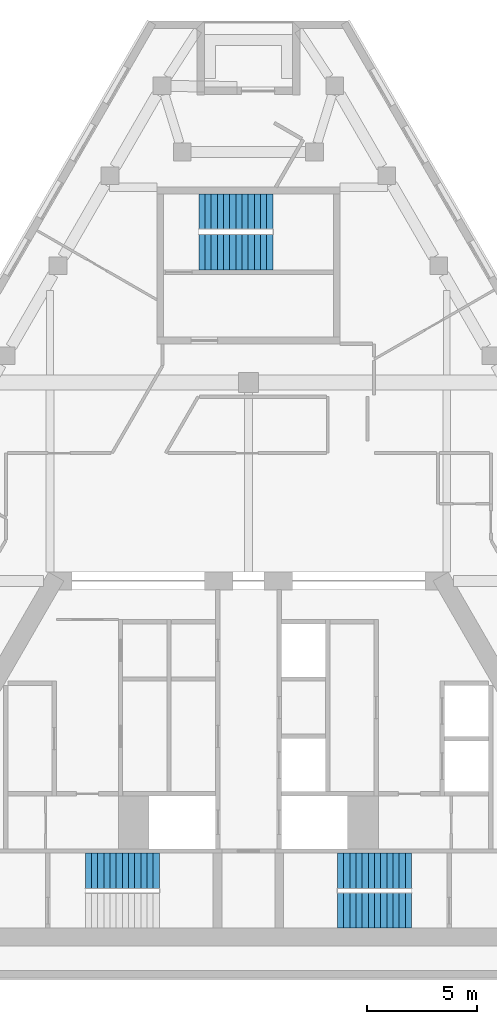
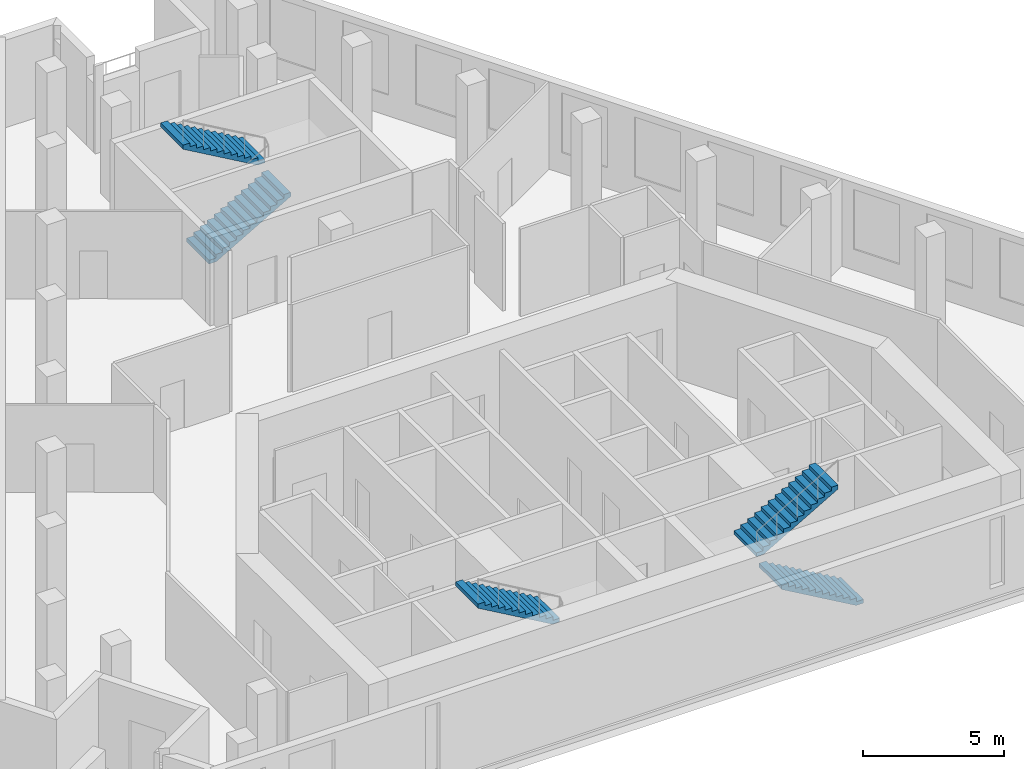
# One storey, part 7 of 8: 5 stair flights, 3 elements without a shape of their own.
"""IFC4 building model written with IfcOpenShell, lengths in metres."""

from ifc_helpers import new_model, si_unit, direction, frame, origin, place, context, subcontext, project, spatial, polyline, outline, extrude, material, type_object, element, aggregate, save


model = new_model("IFC4")

# Units and contexts
model_context = context("Model", 3, precision=1e-05, world=origin(), true_north=direction((0.0, 1.0)))
body_context = subcontext(model_context, "Body", "Model", "MODEL_VIEW")
ifc_project = project(units=[si_unit("LENGTHUNIT", "METRE"), si_unit("AREAUNIT", "SQUARE_METRE"), si_unit("VOLUMEUNIT", "CUBIC_METRE"), si_unit("PLANEANGLEUNIT", "RADIAN"), si_unit("MASSUNIT", "GRAM", prefix="KILO")], contexts=[model_context])

# Site, building, storey
site_placement = place(None, origin())
site = spatial("IfcSite", under=ifc_project, at=site_placement, CompositionType="ELEMENT")
building_placement = place(site_placement, origin())
building = spatial("IfcBuilding", under=site, at=building_placement, Name="Fogline Exchange Tower", CompositionType="ELEMENT")
storey_placement = place(building_placement, frame((0.0, 0.0, 300.300048828125)))
storey = spatial("IfcBuildingStorey", under=building, at=storey_placement, Name="L68", CompositionType="ELEMENT", Elevation=300.300048828125)

# Stair, stair flight
ifc_material = material(Name="Concrete C40", Category="concrete")
stair_type = type_object("IfcStairType", Name="STR26-1615", PredefinedType="HALF_TURN_STAIR", material=ifc_material)
stair_1_placement = place(storey_placement, origin())
stair_1 = element("IfcStair", 1, at=stair_1_placement, inside=storey, type_object=stair_type, Name="Stair ST1", PredefinedType="HALF_TURN_STAIR")
stair_flight_type = type_object("IfcStairFlightType", Name="SF13-1615", PredefinedType="STRAIGHT", material=ifc_material)
stair_flight_1_placement = place(storey_placement, frame((-4.0400390625, 4.85009765625, 2.099853515625), z_axis=(0.0, 0.0, 1.0), x_axis=(-1.0, 0.0, 0.0)))
stair_flight_1 = element("IfcStairFlight", 2, at=stair_flight_1_placement, type_object=stair_flight_type, Name="ST1 flight 2", NumberOfRisers=13, NumberOfTreads=12, PredefinedType="STRAIGHT", RiserHeight=0.161538462, TreadLength=0.28, context=body_context, shape_type="SweptSolid", body=[
    extrude(outline(polyline([(0.0, 0.0), (0.0, 0.16162109375), (0.280029296875, 0.16162109375), (0.280029296875, 0.322998046875), (0.56005859375, 0.322998046875), (0.56005859375, 0.484619140625), (0.840087890625, 0.484619140625), (0.840087890625, 0.646240234375), (1.1201171875, 0.646240234375), (1.1201171875, 0.8076171875), (1.39990234375, 0.8076171875), (1.39990234375, 0.96923828125), (1.679931640625, 0.96923828125), (1.679931640625, 1.130859375), (1.9599609375, 1.130859375), (1.9599609375, 1.292236328125), (2.239990234375, 1.292236328125), (2.239990234375, 1.453857421875), (2.52001953125, 1.453857421875), (2.52001953125, 1.615478515625), (2.800048828125, 1.615478515625), (2.800048828125, 1.77685546875), (3.080078125, 1.77685546875), (3.080078125, 1.9384765625), (3.360107421875, 1.9384765625), (3.360107421875, 2.10009765625), (3.360107421875, 1.765380859375), (0.300048828125, 0.0), (0.0, 0.0)])), frame((0.0, 0.800048828125, 0.0), z_axis=(0.0, -1.0, 0.0), x_axis=(1.0, 0.0, 0.0)), (0.0, 0.0, 1.0), 1.60009765625),
])
aggregate(stair_1, [stair_flight_1])

# Stair, stair flights
stair_2_placement = place(storey_placement, origin())
stair_2 = element("IfcStair", 3, at=stair_2_placement, inside=storey, type_object=stair_type, Name="Stair ST2", PredefinedType="HALF_TURN_STAIR")
stair_flight_2_placement = place(storey_placement, frame((7.39990234375, 3.050048828125, 0.0), z_axis=(0.0, 0.0, 1.0), x_axis=(-1.0, 0.0, 0.0)))
stair_flight_2 = element("IfcStairFlight", 4, at=stair_flight_2_placement, type_object=stair_flight_type, Name="ST2 flight 1", NumberOfRisers=13, NumberOfTreads=12, PredefinedType="STRAIGHT", RiserHeight=0.161538462, TreadLength=0.28, context=body_context, shape_type="SweptSolid", body=[
    extrude(outline(polyline([(0.0, 0.0), (0.0, 0.16162109375), (0.280029296875, 0.16162109375), (0.280029296875, 0.322998046875), (0.56005859375, 0.322998046875), (0.56005859375, 0.484619140625), (0.840087890625, 0.484619140625), (0.840087890625, 0.646240234375), (1.1201171875, 0.646240234375), (1.1201171875, 0.8076171875), (1.39990234375, 0.8076171875), (1.39990234375, 0.96923828125), (1.679931640625, 0.96923828125), (1.679931640625, 1.130859375), (1.9599609375, 1.130859375), (1.9599609375, 1.292236328125), (2.239990234375, 1.292236328125), (2.239990234375, 1.453857421875), (2.52001953125, 1.453857421875), (2.52001953125, 1.615478515625), (2.800048828125, 1.615478515625), (2.800048828125, 1.77685546875), (3.080078125, 1.77685546875), (3.080078125, 1.9384765625), (3.360107421875, 1.9384765625), (3.360107421875, 2.10009765625), (3.360107421875, 1.765380859375), (0.300048828125, 0.0), (0.0, 0.0)])), frame((0.0, 0.800048828125, 0.0), z_axis=(0.0, -1.0, 0.0), x_axis=(1.0, 0.0, 0.0)), (0.0, 0.0, 1.0), 1.60009765625),
])
stair_flight_3_placement = place(storey_placement, frame((4.0400390625, 4.85009765625, 2.099853515625), z_axis=(0.0, 0.0, 1.0), x_axis=(1.0, 0.0, 0.0)))
stair_flight_3 = element("IfcStairFlight", 5, at=stair_flight_3_placement, type_object=stair_flight_type, Name="ST2 flight 2", NumberOfRisers=13, NumberOfTreads=12, PredefinedType="STRAIGHT", RiserHeight=0.161538462, TreadLength=0.28, context=body_context, shape_type="SweptSolid", body=[
    extrude(outline(polyline([(0.0, 0.0), (0.0, 0.16162109375), (0.280029296875, 0.16162109375), (0.280029296875, 0.322998046875), (0.56005859375, 0.322998046875), (0.56005859375, 0.484619140625), (0.840087890625, 0.484619140625), (0.840087890625, 0.646240234375), (1.1201171875, 0.646240234375), (1.1201171875, 0.8076171875), (1.39990234375, 0.8076171875), (1.39990234375, 0.96923828125), (1.679931640625, 0.96923828125), (1.679931640625, 1.130859375), (1.9599609375, 1.130859375), (1.9599609375, 1.292236328125), (2.239990234375, 1.292236328125), (2.239990234375, 1.453857421875), (2.52001953125, 1.453857421875), (2.52001953125, 1.615478515625), (2.800048828125, 1.615478515625), (2.800048828125, 1.77685546875), (3.080078125, 1.77685546875), (3.080078125, 1.9384765625), (3.360107421875, 1.9384765625), (3.360107421875, 2.10009765625), (3.360107421875, 1.765380859375), (0.300048828125, 0.0), (0.0, 0.0)])), frame((0.0, 0.800048828125, 0.0), z_axis=(0.0, -1.0, 0.0), x_axis=(1.0, 0.0, 0.0)), (0.0, 0.0, 1.0), 1.60009765625),
])
aggregate(stair_2, [stair_flight_2, stair_flight_3])

stair_3_placement = place(storey_placement, origin())
stair_3 = element("IfcStair", 6, at=stair_3_placement, inside=storey, type_object=stair_type, Name="Stair ST3", PredefinedType="HALF_TURN_STAIR")
stair_flight_4_placement = place(storey_placement, frame((-2.25, 32.906982421875, 0.0), z_axis=(0.0, 0.0, 1.0), x_axis=(1.0, 0.0, 0.0)))
stair_flight_4 = element("IfcStairFlight", 7, at=stair_flight_4_placement, type_object=stair_flight_type, Name="ST3 flight 1", NumberOfRisers=13, NumberOfTreads=12, PredefinedType="STRAIGHT", RiserHeight=0.161538462, TreadLength=0.28, context=body_context, shape_type="SweptSolid", body=[
    extrude(outline(polyline([(0.0, 0.0), (0.0, 0.16162109375), (0.280029296875, 0.16162109375), (0.280029296875, 0.322998046875), (0.56005859375, 0.322998046875), (0.56005859375, 0.484619140625), (0.840087890625, 0.484619140625), (0.840087890625, 0.646240234375), (1.1201171875, 0.646240234375), (1.1201171875, 0.8076171875), (1.39990234375, 0.8076171875), (1.39990234375, 0.96923828125), (1.679931640625, 0.96923828125), (1.679931640625, 1.130859375), (1.9599609375, 1.130859375), (1.9599609375, 1.292236328125), (2.239990234375, 1.292236328125), (2.239990234375, 1.453857421875), (2.52001953125, 1.453857421875), (2.52001953125, 1.615478515625), (2.800048828125, 1.615478515625), (2.800048828125, 1.77685546875), (3.080078125, 1.77685546875), (3.080078125, 1.9384765625), (3.360107421875, 1.9384765625), (3.360107421875, 2.10009765625), (3.360107421875, 1.765380859375), (0.300048828125, 0.0), (0.0, 0.0)])), frame((0.0, 0.800048828125, 0.0), z_axis=(0.0, -1.0, 0.0), x_axis=(1.0, 0.0, 0.0)), (0.0, 0.0, 1.0), 1.60009765625),
])
stair_flight_5_placement = place(storey_placement, frame((1.110107421875, 34.757080078125, 2.099853515625), z_axis=(0.0, 0.0, 1.0), x_axis=(-1.0, 0.0, 0.0)))
stair_flight_5 = element("IfcStairFlight", 8, at=stair_flight_5_placement, type_object=stair_flight_type, Name="ST3 flight 2", NumberOfRisers=13, NumberOfTreads=12, PredefinedType="STRAIGHT", RiserHeight=0.161538462, TreadLength=0.28, context=body_context, shape_type="SweptSolid", body=[
    extrude(outline(polyline([(0.0, 0.0), (0.0, 0.16162109375), (0.280029296875, 0.16162109375), (0.280029296875, 0.322998046875), (0.56005859375, 0.322998046875), (0.56005859375, 0.484619140625), (0.840087890625, 0.484619140625), (0.840087890625, 0.646240234375), (1.1201171875, 0.646240234375), (1.1201171875, 0.8076171875), (1.39990234375, 0.8076171875), (1.39990234375, 0.96923828125), (1.679931640625, 0.96923828125), (1.679931640625, 1.130859375), (1.9599609375, 1.130859375), (1.9599609375, 1.292236328125), (2.239990234375, 1.292236328125), (2.239990234375, 1.453857421875), (2.52001953125, 1.453857421875), (2.52001953125, 1.615478515625), (2.800048828125, 1.615478515625), (2.800048828125, 1.77685546875), (3.080078125, 1.77685546875), (3.080078125, 1.9384765625), (3.360107421875, 1.9384765625), (3.360107421875, 2.10009765625), (3.360107421875, 1.765380859375), (0.300048828125, 0.0), (0.0, 0.0)])), frame((0.0, 0.800048828125, 0.0), z_axis=(0.0, -1.0, 0.0), x_axis=(1.0, 0.0, 0.0)), (0.0, 0.0, 1.0), 1.60009765625),
])
aggregate(stair_3, [stair_flight_4, stair_flight_5])

save(model, "model.ifc")
